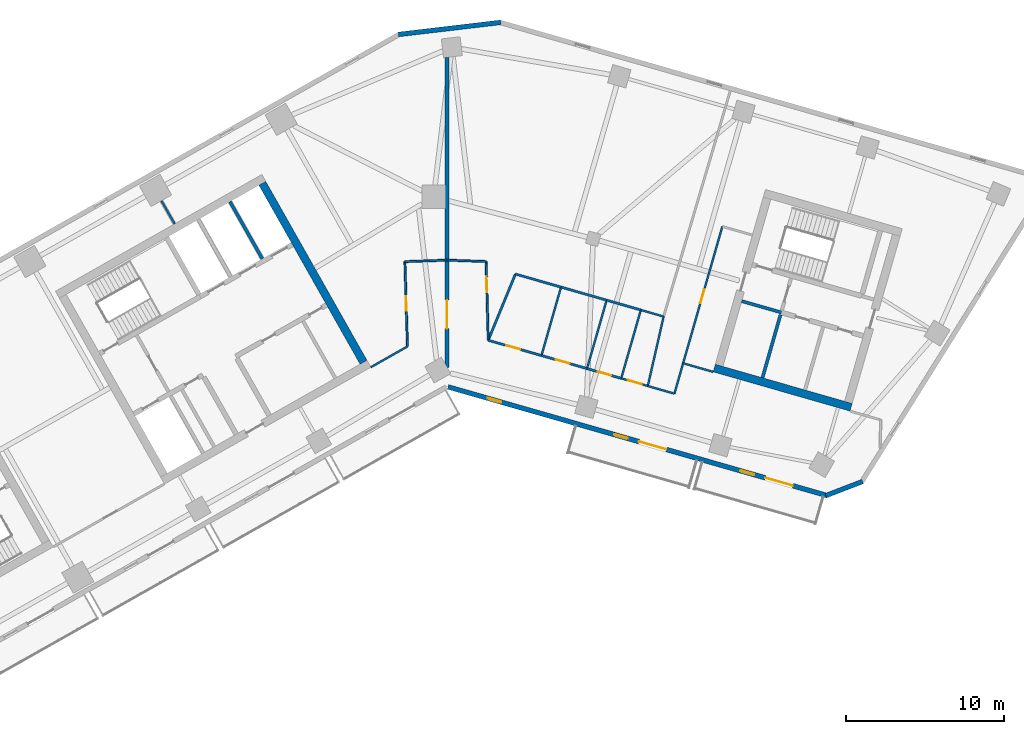
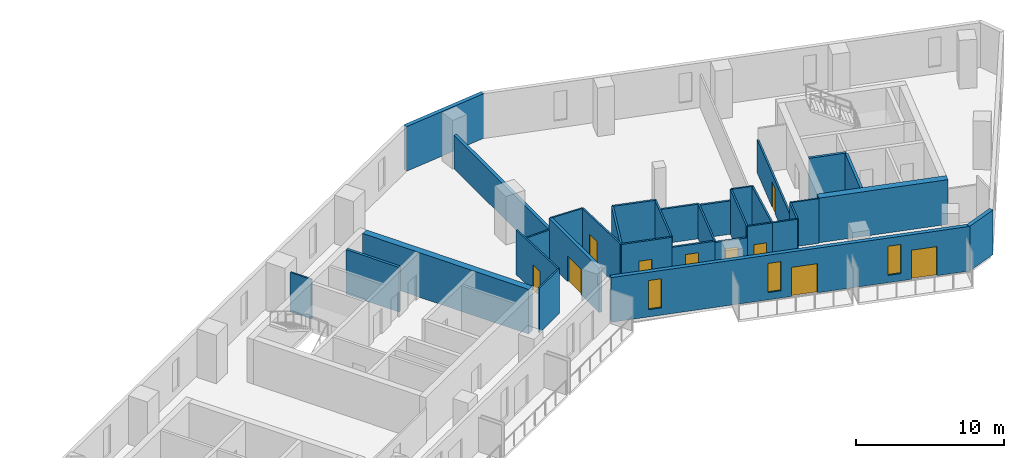
# One storey, part 5 of 9: 33 walls, 10 doors, 3 windows, 13 openings.
"""IFC4 building model written with IfcOpenShell, lengths in metres."""

from ifc_helpers import new_model, si_unit, direction, frame, frame_2d, origin, place, context, subcontext, project, spatial, rectangle, extrude, material, layer, layer_set, type_object, element, fill, save


model = new_model("IFC4")

# Units and contexts
model_context = context("Model", 3, precision=1e-05, world=origin(), true_north=direction((0.0, 1.0)))
body_context = subcontext(model_context, "Body", "Model", "MODEL_VIEW")
ifc_project = project(units=[si_unit("LENGTHUNIT", "METRE"), si_unit("AREAUNIT", "SQUARE_METRE"), si_unit("VOLUMEUNIT", "CUBIC_METRE"), si_unit("PLANEANGLEUNIT", "RADIAN"), si_unit("MASSUNIT", "GRAM", prefix="KILO")], contexts=[model_context])

# Site, building, storey
site_placement = place(None, origin())
site = spatial("IfcSite", under=ifc_project, at=site_placement, CompositionType="ELEMENT")
building_placement = place(site_placement, origin())
building = spatial("IfcBuilding", under=site, at=building_placement, Name="Binnacle Exchange Tower", CompositionType="ELEMENT")
storey_placement = place(building_placement, frame((0.0, 0.0, 174.89990234375)))
storey = spatial("IfcBuildingStorey", under=building, at=storey_placement, Name="L37", CompositionType="ELEMENT", Elevation=174.89990234375)

# Walls
ifc_material_1 = material(Name="Concrete C70/85", Category="concrete")
ifc_layer_1 = layer(ifc_material_1, 0.5)
ifc_layer_set_1 = layer_set([ifc_layer_1], Name="Core wall - outer 500")
wall_type_1 = type_object("IfcWallType", Name="Core wall - outer 500", PredefinedType="SOLIDWALL", material=ifc_layer_set_1)
wall_1_placement = place(storey_placement, frame((-11.686767578125, 60.856201171875, 0.0), z_axis=(0.0, 0.0, 1.0), x_axis=(0.492427267353, -0.870353598469, 0.0)))
element("IfcWall", 1, at=wall_1_placement, inside=storey, type_object=wall_type_1, Name="Core wall CRWC24", PredefinedType="SOLIDWALL", context=body_context, shape_type="SweptSolid", body=[
    extrude(rectangle(XDim=13.0, YDim=0.5, at=frame_2d((6.5, 0.0))), origin(), (0.0, 0.0, 1.0), 3.68017578125),
])
wall_2_placement = place(storey_placement, frame((16.896728515625, 49.173095703125, 0.0), z_axis=(0.0, 0.0, 1.0), x_axis=(0.96126248289, -0.275634611374, 0.0)))
element("IfcWall", 2, at=wall_2_placement, inside=storey, type_object=wall_type_1, Name="Core wall CRWD1", PredefinedType="SOLIDWALL", context=body_context, shape_type="SweptSolid", body=[
    extrude(rectangle(XDim=9.0, YDim=0.5, at=frame_2d((4.5, 0.0))), origin(), (0.0, 0.0, 1.0), 3.68017578125),
])

# Wall, openings, doors, windows
ifc_material_2 = material(Name="Bronze aluminium cladding", Category="aluminium")
ifc_layer_2 = layer(ifc_material_2, 0.300048828125)
ifc_layer_set_2 = layer_set([ifc_layer_2], Name="External wall - spandrel 300")
wall_type_2 = type_object("IfcWallType", Name="External wall - spandrel 300", PredefinedType="STANDARD", material=ifc_layer_set_2)
wall_3_placement = place(storey_placement, frame((24.04248046875, 41.10595703125, 0.0), z_axis=(0.0, 0.0, 1.0), x_axis=(-0.961261693976, 0.275637362661, 0.0)))
wall_3 = element("IfcWall", 3, at=wall_3_placement, inside=storey, type_object=wall_type_2, Name="External wall EW-G02 L37", PredefinedType="STANDARD", context=body_context, shape_type="SweptSolid", body=[
    extrude(rectangle(XDim=24.948486328125, YDim=0.300048828125, at=frame_2d((12.47412109375, 0.0))), origin(), (0.0, 0.0, 1.0), 3.68017578125),
])
opening_1_placement = place(wall_3_placement, frame((21.441162109375, 0.0, 0.60009765625)))
opening_1 = element("IfcOpeningElement", 4, at=opening_1_placement, cuts=wall_3, Name="Opening WS3", PredefinedType="OPENING", context=body_context, shape_type="SweptSolid", body=[
    extrude(rectangle(XDim=0.89990234375, YDim=2.39990234375, at=frame_2d((0.449951171875, 1.199951171875))), frame((0.0, 0.159912109375, 0.0), z_axis=(0.0, -1.0, 0.0), x_axis=(1.0, 0.0, 0.0)), (0.0, 0.0, 1.0), 0.320068359375),
])
opening_2_placement = place(wall_3_placement, frame((13.120849609375, 0.0, 0.60009765625)))
opening_2 = element("IfcOpeningElement", 5, at=opening_2_placement, cuts=wall_3, Name="Opening WS3", PredefinedType="OPENING", context=body_context, shape_type="SweptSolid", body=[
    extrude(rectangle(XDim=0.89990234375, YDim=2.39990234375, at=frame_2d((0.449951171875, 1.199951171875))), frame((0.0, 0.159912109375, 0.0), z_axis=(0.0, -1.0, 0.0), x_axis=(1.0, 0.0, 0.0)), (0.0, 0.0, 1.0), 0.320068359375),
])
opening_3_placement = place(wall_3_placement, frame((10.5908203125, 0.0, 0.0)))
opening_3 = element("IfcOpeningElement", 6, at=opening_3_placement, cuts=wall_3, Name="Opening D-FS11-06", PredefinedType="OPENING", context=body_context, shape_type="SweptSolid", body=[
    extrude(rectangle(XDim=1.800048828125, YDim=2.39990234375, at=frame_2d((0.89990234375, 1.199951171875))), frame((0.0, 0.159912109375, 0.0), z_axis=(0.0, -1.0, 0.0), x_axis=(1.0, 0.0, 0.0)), (0.0, 0.0, 1.0), 0.320068359375),
])
opening_4_placement = place(wall_3_placement, frame((4.80029296875, 0.0, 0.60009765625)))
opening_4 = element("IfcOpeningElement", 7, at=opening_4_placement, cuts=wall_3, Name="Opening WS3", PredefinedType="OPENING", context=body_context, shape_type="SweptSolid", body=[
    extrude(rectangle(XDim=0.89990234375, YDim=2.39990234375, at=frame_2d((0.449951171875, 1.199951171875))), frame((0.0, 0.159912109375, 0.0), z_axis=(0.0, -1.0, 0.0), x_axis=(1.0, 0.0, 0.0)), (0.0, 0.0, 1.0), 0.320068359375),
])
opening_5_placement = place(wall_3_placement, frame((2.270263671875, 0.0, 0.0)))
opening_5 = element("IfcOpeningElement", 8, at=opening_5_placement, cuts=wall_3, Name="Opening D-FS11-07", PredefinedType="OPENING", context=body_context, shape_type="SweptSolid", body=[
    extrude(rectangle(XDim=1.800048828125, YDim=2.39990234375, at=frame_2d((0.89990234375, 1.199951171875))), frame((0.0, 0.159912109375, 0.0), z_axis=(0.0, -1.0, 0.0), x_axis=(1.0, 0.0, 0.0)), (0.0, 0.0, 1.0), 0.320068359375),
])
ifc_material_3 = material(Name="Bronze anodised aluminium frame", Category="aluminium")
door_type_1 = type_object("IfcDoorType", Name="DB DOOR 1800x2400", OperationType="DOUBLE_DOOR_SINGLE_SWING", PredefinedType="DOOR", material=ifc_material_3)
door_1_placement = place(opening_3_placement, origin())
door_1 = element("IfcDoor", 9, at=door_1_placement, inside=storey, type_object=door_type_1, Name="Door D-FS11-06 L37", OperationType="DOUBLE_DOOR_SINGLE_SWING", OverallHeight=2.39990234375, OverallWidth=1.800048828125, PredefinedType="DOOR", context=body_context, shape_type="SweptSolid", body=[
    extrude(rectangle(XDim=1.800048828125, YDim=2.39990234375, at=frame_2d((0.89990234375, 1.199951171875))), frame((0.0, 0.02490234375, 0.0), z_axis=(0.0, -1.0, 0.0), x_axis=(1.0, 0.0, 0.0)), (0.0, 0.0, 1.0), 0.050048828125),
])
fill(opening_3, door_1)
door_2_placement = place(opening_5_placement, origin())
door_2 = element("IfcDoor", 10, at=door_2_placement, inside=storey, type_object=door_type_1, Name="Door D-FS11-07 L37", OperationType="DOUBLE_DOOR_SINGLE_SWING", OverallHeight=2.39990234375, OverallWidth=1.800048828125, PredefinedType="DOOR", context=body_context, shape_type="SweptSolid", body=[
    extrude(rectangle(XDim=1.800048828125, YDim=2.39990234375, at=frame_2d((0.89990234375, 1.199951171875))), frame((0.0, 0.02490234375, 0.0), z_axis=(0.0, -1.0, 0.0), x_axis=(1.0, 0.0, 0.0)), (0.0, 0.0, 1.0), 0.050048828125),
])
fill(opening_5, door_2)
window_type = type_object("IfcWindowType", Name="WS3 WINDOW 900x2400", PartitioningType="SINGLE_PANEL", PredefinedType="WINDOW", material=ifc_material_3)
window_1_placement = place(opening_1_placement, origin())
window_1 = element("IfcWindow", 11, at=window_1_placement, inside=storey, type_object=window_type, Name="Window WS3 L37", OverallHeight=2.39990234375, OverallWidth=0.89990234375, PartitioningType="SINGLE_PANEL", PredefinedType="WINDOW", context=body_context, shape_type="SweptSolid", body=[
    extrude(rectangle(XDim=0.89990234375, YDim=2.39990234375, at=frame_2d((0.449951171875, 1.199951171875))), frame((0.0, 0.030029296875, 0.0), z_axis=(0.0, -1.0, 0.0), x_axis=(1.0, 0.0, 0.0)), (0.0, 0.0, 1.0), 0.06005859375),
])
fill(opening_1, window_1)
window_2_placement = place(opening_2_placement, origin())
window_2 = element("IfcWindow", 12, at=window_2_placement, inside=storey, type_object=window_type, Name="Window WS3 L37", OverallHeight=2.39990234375, OverallWidth=0.89990234375, PartitioningType="SINGLE_PANEL", PredefinedType="WINDOW", context=body_context, shape_type="SweptSolid", body=[
    extrude(rectangle(XDim=0.89990234375, YDim=2.39990234375, at=frame_2d((0.449951171875, 1.199951171875))), frame((0.0, 0.030029296875, 0.0), z_axis=(0.0, -1.0, 0.0), x_axis=(1.0, 0.0, 0.0)), (0.0, 0.0, 1.0), 0.06005859375),
])
fill(opening_2, window_2)
window_3_placement = place(opening_4_placement, origin())
window_3 = element("IfcWindow", 13, at=window_3_placement, inside=storey, type_object=window_type, Name="Window WS3 L37", OverallHeight=2.39990234375, OverallWidth=0.89990234375, PartitioningType="SINGLE_PANEL", PredefinedType="WINDOW", context=body_context, shape_type="SweptSolid", body=[
    extrude(rectangle(XDim=0.89990234375, YDim=2.39990234375, at=frame_2d((0.449951171875, 1.199951171875))), frame((0.0, 0.030029296875, 0.0), z_axis=(0.0, -1.0, 0.0), x_axis=(1.0, 0.0, 0.0)), (0.0, 0.0, 1.0), 0.06005859375),
])
fill(opening_4, window_3)

# Walls
wall_4_placement = place(storey_placement, frame((26.27783203125, 41.996337890625, 0.0), z_axis=(0.0, 0.0, 1.0), x_axis=(-0.933592404159, -0.358336745112, 0.0)))
element("IfcWall", 14, at=wall_4_placement, inside=storey, type_object=wall_type_2, Name="External wall EW-G03 L37", PredefinedType="STANDARD", context=body_context, shape_type="SweptSolid", body=[
    extrude(rectangle(XDim=2.496337890625, YDim=0.300048828125, at=frame_2d((1.248046875, 0.0))), origin(), (0.0, 0.0, 1.0), 3.68017578125),
])
wall_5_placement = place(storey_placement, frame((-3.076171875, 70.27294921875, 0.0), z_axis=(0.0, 0.0, 1.0), x_axis=(0.993067743007, 0.117543429416, 0.0)))
element("IfcWall", 15, at=wall_5_placement, inside=storey, type_object=wall_type_2, Name="External wall EW-G07 L37", PredefinedType="STANDARD", context=body_context, shape_type="SweptSolid", body=[
    extrude(rectangle(XDim=6.515625, YDim=0.300048828125, at=frame_2d((3.2578125, 0.0))), origin(), (0.0, 0.0, 1.0), 3.68017578125),
])

# Wall, opening, door
ifc_material_4 = material(Name="Concrete fire wall C30/37", Category="concrete")
ifc_layer_3 = layer(ifc_material_4, 0.25)
ifc_layer_set_3 = layer_set([ifc_layer_3], Name="Fire wall - compartment 250")
wall_type_3 = type_object("IfcWallType", Name="Fire wall - compartment 250", PredefinedType="PARTITIONING", material=ifc_layer_set_3)
wall_6_placement = place(storey_placement, frame((0.0, 49.218994140625, 0.0), z_axis=(0.0, 0.0, 1.0), x_axis=(0.0, 1.0, 0.0)))
wall_6 = element("IfcWall", 16, at=wall_6_placement, inside=storey, type_object=wall_type_3, Name="Fire Wall W09", PredefinedType="PARTITIONING", context=body_context, shape_type="SweptSolid", body=[
    extrude(rectangle(XDim=6.781005859375, YDim=0.25, at=frame_2d((3.390625, 0.0))), origin(), (0.0, 0.0, 1.0), 3.68017578125),
])
opening_6_placement = place(wall_6_placement, frame((2.449951171875, 0.0, 0.0)))
opening_6 = element("IfcOpeningElement", 17, at=opening_6_placement, cuts=wall_6, Name="Opening DL35-10", PredefinedType="OPENING", context=body_context, shape_type="SweptSolid", body=[
    extrude(rectangle(XDim=1.800048828125, YDim=2.10009765625, at=frame_2d((0.89990234375, 1.050048828125))), frame((0.0, 0.135009765625, 0.0), z_axis=(0.0, -1.0, 0.0), x_axis=(1.0, 0.0, 0.0)), (0.0, 0.0, 1.0), 0.27001953125),
])
ifc_material_5 = material(Name="Steel door leaf", Category="steel")
door_type_2 = type_object("IfcDoorType", Name="Fire door 1800", OperationType="NOTDEFINED", PredefinedType="DOOR", material=ifc_material_5)
door_3_placement = place(opening_6_placement, origin())
door_3 = element("IfcDoor", 18, at=door_3_placement, inside=storey, type_object=door_type_2, Name="Door DL35-10", OperationType="DOUBLE_DOOR_SINGLE_SWING", OverallHeight=2.10009765625, OverallWidth=1.800048828125, PredefinedType="DOOR", context=body_context, shape_type="SweptSolid", body=[
    extrude(rectangle(XDim=1.800048828125, YDim=2.10009765625, at=frame_2d((0.89990234375, 1.050048828125))), frame((0.0, 0.02490234375, 0.0), z_axis=(0.0, -1.0, 0.0), x_axis=(1.0, 0.0, 0.0)), (0.0, 0.0, 1.0), 0.050048828125),
])
fill(opening_6, door_3)

# Walls
wall_7_placement = place(storey_placement, frame((0.0, 56.0, 0.0), z_axis=(0.0, 0.0, 1.0), x_axis=(0.0, 1.0, 0.0)))
element("IfcWall", 19, at=wall_7_placement, inside=storey, type_object=wall_type_3, Name="Fire Wall W10", PredefinedType="PARTITIONING", context=body_context, shape_type="SweptSolid", body=[
    extrude(rectangle(XDim=12.823974609375, YDim=0.25, at=frame_2d((6.412109375, 0.0))), origin(), (0.0, 0.0, 1.0), 2.748046875),
])
ifc_material_6 = material(Name="Gypsum partition fire rated")
ifc_layer_4 = layer(ifc_material_6, 0.14990234375)
ifc_layer_set_4 = layer_set([ifc_layer_4], Name="Fire-rated partition 150")
wall_type_4 = type_object("IfcWallType", Name="Fire-rated partition 150", PredefinedType="PARTITIONING", material=ifc_layer_set_4)
wall_8_placement = place(storey_placement, frame((2.60107421875, 50.931884765625, 0.0), z_axis=(0.0, 0.0, 1.0), x_axis=(0.380066317543, 0.924959239247, 0.0)))
element("IfcWall", 20, at=wall_8_placement, inside=storey, type_object=wall_type_4, Name="Partition W13", PredefinedType="PARTITIONING", context=body_context, shape_type="SweptSolid", body=[
    extrude(rectangle(XDim=4.528076171875, YDim=0.14990234375, at=frame_2d((2.26416015625, 0.0))), origin(), (0.0, 0.0, 1.0), 3.68017578125),
])

# Wall, opening, door
wall_9_placement = place(storey_placement, frame((2.60107421875, 50.931884765625, 0.0), z_axis=(0.0, 0.0, 1.0), x_axis=(0.961265606965, -0.27562371608, 0.0)))
wall_9 = element("IfcWall", 21, at=wall_9_placement, inside=storey, type_object=wall_type_4, Name="Partition W14", PredefinedType="PARTITIONING", context=body_context, shape_type="SweptSolid", body=[
    extrude(rectangle(XDim=3.50048828125, YDim=0.14990234375, at=frame_2d((1.750244140625, 0.0))), origin(), (0.0, 0.0, 1.0), 3.68017578125),
])
opening_7_placement = place(wall_9_placement, frame((1.199951171875, 0.0, 0.0)))
opening_7 = element("IfcOpeningElement", 22, at=opening_7_placement, cuts=wall_9, Name="Opening DL35-04", PredefinedType="OPENING", context=body_context, shape_type="SweptSolid", body=[
    extrude(rectangle(XDim=0.89990234375, YDim=2.10009765625, at=frame_2d((0.449951171875, 1.050048828125))), frame((0.0, 0.0849609375, 0.0), z_axis=(0.0, -1.0, 0.0), x_axis=(1.0, 0.0, 0.0)), (0.0, 0.0, 1.0), 0.169921875),
])
door_type_3 = type_object("IfcDoorType", Name="Fire door 900", OperationType="NOTDEFINED", PredefinedType="DOOR", material=ifc_material_5)
door_4_placement = place(opening_7_placement, origin())
door_4 = element("IfcDoor", 23, at=door_4_placement, inside=storey, type_object=door_type_3, Name="Door DL35-04", OperationType="SINGLE_SWING_LEFT", OverallHeight=2.10009765625, OverallWidth=0.89990234375, PredefinedType="DOOR", context=body_context, shape_type="SweptSolid", body=[
    extrude(rectangle(XDim=0.89990234375, YDim=2.10009765625, at=frame_2d((0.449951171875, 1.050048828125))), frame((0.0, 0.02490234375, 0.0), z_axis=(0.0, -1.0, 0.0), x_axis=(1.0, 0.0, 0.0)), (0.0, 0.0, 1.0), 0.050048828125),
])
fill(opening_7, door_4)

# Wall
wall_10_placement = place(storey_placement, frame((4.322021484375, 55.1201171875, 0.0), z_axis=(0.0, 0.0, 1.0), x_axis=(0.961247103494, -0.275688240636, 0.0)))
element("IfcWall", 24, at=wall_10_placement, inside=storey, type_object=wall_type_4, Name="Partition W15", PredefinedType="PARTITIONING", context=body_context, shape_type="SweptSolid", body=[
    extrude(rectangle(XDim=3.000244140625, YDim=0.14990234375, at=frame_2d((1.5, 0.0))), origin(), (0.0, 0.0, 1.0), 3.68017578125),
])

# Wall, opening, door
wall_11_placement = place(storey_placement, frame((5.966064453125, 49.967041015625, 0.0), z_axis=(0.0, 0.0, 1.0), x_axis=(0.961222353496, -0.275774522283, 0.0)))
wall_11 = element("IfcWall", 25, at=wall_11_placement, inside=storey, type_object=wall_type_4, Name="Partition W17", PredefinedType="PARTITIONING", context=body_context, shape_type="SweptSolid", body=[
    extrude(rectangle(XDim=2.999267578125, YDim=0.14990234375, at=frame_2d((1.49951171875, 0.0))), origin(), (0.0, 0.0, 1.0), 2.85205078125),
])
opening_8_placement = place(wall_11_placement, frame((0.949951171875, 0.0, 0.0)))
opening_8 = element("IfcOpeningElement", 26, at=opening_8_placement, cuts=wall_11, Name="Opening DL35-05", PredefinedType="OPENING", context=body_context, shape_type="SweptSolid", body=[
    extrude(rectangle(XDim=0.89990234375, YDim=2.10009765625, at=frame_2d((0.449951171875, 1.050048828125))), frame((0.0, 0.0849609375, 0.0), z_axis=(0.0, -1.0, 0.0), x_axis=(1.0, 0.0, 0.0)), (0.0, 0.0, 1.0), 0.169921875),
])
door_5_placement = place(opening_8_placement, origin())
door_5 = element("IfcDoor", 27, at=door_5_placement, inside=storey, type_object=door_type_3, Name="Door DL35-05", OperationType="SINGLE_SWING_LEFT", OverallHeight=2.10009765625, OverallWidth=0.89990234375, PredefinedType="DOOR", context=body_context, shape_type="SweptSolid", body=[
    extrude(rectangle(XDim=0.89990234375, YDim=2.10009765625, at=frame_2d((0.449951171875, 1.050048828125))), frame((0.0, 0.02490234375, 0.0), z_axis=(0.0, -1.0, 0.0), x_axis=(1.0, 0.0, 0.0)), (0.0, 0.0, 1.0), 0.050048828125),
])
fill(opening_8, door_5)

# Wall
wall_12_placement = place(storey_placement, frame((7.2060546875, 54.29296875, 0.0), z_axis=(0.0, 0.0, 1.0), x_axis=(0.961268664977, -0.27561305073, 0.0)))
element("IfcWall", 28, at=wall_12_placement, inside=storey, type_object=wall_type_4, Name="Partition W18", PredefinedType="PARTITIONING", context=body_context, shape_type="SweptSolid", body=[
    extrude(rectangle(XDim=3.000244140625, YDim=0.14990234375, at=frame_2d((1.5, 0.0))), origin(), (0.0, 0.0, 1.0), 2.85205078125),
])

# Wall, opening, door
wall_13_placement = place(storey_placement, frame((8.84912109375, 49.139892578125, 0.0), z_axis=(0.0, 0.0, 1.0), x_axis=(0.961298413165, -0.275509275429, 0.0)))
wall_13 = element("IfcWall", 29, at=wall_13_placement, inside=storey, type_object=wall_type_4, Name="Partition W20", PredefinedType="PARTITIONING", context=body_context, shape_type="SweptSolid", body=[
    extrude(rectangle(XDim=2.25, YDim=0.14990234375, at=frame_2d((1.125, 0.0))), origin(), (0.0, 0.0, 1.0), 2.748046875),
])
opening_9_placement = place(wall_13_placement, frame((0.699951171875, 0.0, 0.0)))
opening_9 = element("IfcOpeningElement", 30, at=opening_9_placement, cuts=wall_13, Name="Opening DL35-06", PredefinedType="OPENING", context=body_context, shape_type="SweptSolid", body=[
    extrude(rectangle(XDim=0.89990234375, YDim=2.10009765625, at=frame_2d((0.449951171875, 1.050048828125))), frame((0.0, 0.0849609375, 0.0), z_axis=(0.0, -1.0, 0.0), x_axis=(1.0, 0.0, 0.0)), (0.0, 0.0, 1.0), 0.169921875),
])
door_6_placement = place(opening_9_placement, origin())
door_6 = element("IfcDoor", 31, at=door_6_placement, inside=storey, type_object=door_type_3, Name="Door DL35-06", OperationType="SINGLE_SWING_RIGHT", OverallHeight=2.10009765625, OverallWidth=0.89990234375, PredefinedType="DOOR", context=body_context, shape_type="SweptSolid", body=[
    extrude(rectangle(XDim=0.89990234375, YDim=2.10009765625, at=frame_2d((0.449951171875, 1.050048828125))), frame((0.0, 0.02490234375, 0.0), z_axis=(0.0, -1.0, 0.0), x_axis=(1.0, 0.0, 0.0)), (0.0, 0.0, 1.0), 0.050048828125),
])
fill(opening_9, door_6)

# Walls
wall_14_placement = place(storey_placement, frame((10.090087890625, 53.466064453125, 0.0), z_axis=(0.0, 0.0, 1.0), x_axis=(0.961269670038, -0.275609545309, 0.0)))
element("IfcWall", 32, at=wall_14_placement, inside=storey, type_object=wall_type_4, Name="Partition W21", PredefinedType="PARTITIONING", context=body_context, shape_type="SweptSolid", body=[
    extrude(rectangle(XDim=2.25, YDim=0.14990234375, at=frame_2d((1.125, 0.0))), origin(), (0.0, 0.0, 1.0), 2.748046875),
])
ifc_material_7 = material(Name="Gypsum partition")
ifc_layer_5 = layer(ifc_material_7, 0.125)
ifc_layer_set_5 = layer_set([ifc_layer_5], Name="Partition 125")
wall_type_5 = type_object("IfcWallType", Name="Partition 125", PredefinedType="PARTITIONING", material=ifc_layer_set_5)
wall_15_placement = place(storey_placement, frame((-18.068115234375, 59.756103515625, 0.0), z_axis=(0.0, 0.0, 1.0), x_axis=(0.495061971856, -0.868857666147, 0.0)))
element("IfcWall", 33, at=wall_15_placement, inside=storey, type_object=wall_type_5, Name="Partition W05", PredefinedType="PARTITIONING", context=body_context, shape_type="SweptSolid", body=[
    extrude(rectangle(XDim=1.68505859375, YDim=0.125, at=frame_2d((0.842529296875, 0.0))), origin(), (0.0, 0.0, 1.0), 3.260009765625),
])
wall_16_placement = place(storey_placement, frame((-4.821044921875, 49.22998046875, 0.0), z_axis=(0.0, 0.0, 1.0), x_axis=(0.870371217631, 0.492396124598, 0.0)))
element("IfcWall", 34, at=wall_16_placement, inside=storey, type_object=wall_type_5, Name="Partition W06", PredefinedType="PARTITIONING", context=body_context, shape_type="SweptSolid", body=[
    extrude(rectangle(XDim=2.65869140625, YDim=0.125, at=frame_2d((1.329345703125, 0.0))), origin(), (0.0, 0.0, 1.0), 3.68017578125),
])

# Wall, opening, door
wall_17_placement = place(storey_placement, frame((-2.669921875, 55.904052734375, 0.0), z_axis=(0.0, 0.0, 1.0), x_axis=(0.030338701418, -0.999539675649, 0.0)))
wall_17 = element("IfcWall", 35, at=wall_17_placement, inside=storey, type_object=wall_type_5, Name="Partition W07", PredefinedType="PARTITIONING", context=body_context, shape_type="SweptSolid", body=[
    extrude(rectangle(XDim=5.367431640625, YDim=0.125, at=frame_2d((2.68359375, 0.0))), origin(), (0.0, 0.0, 1.0), 3.68017578125),
])
opening_10_placement = place(wall_17_placement, frame((2.199951171875, 0.0, 0.0)))
opening_10 = element("IfcOpeningElement", 36, at=opening_10_placement, cuts=wall_17, Name="Opening DL35-03", PredefinedType="OPENING", context=body_context, shape_type="SweptSolid", body=[
    extrude(rectangle(XDim=0.89990234375, YDim=2.10009765625, at=frame_2d((0.449951171875, 1.050048828125))), frame((0.0, 0.072509765625, 0.0), z_axis=(0.0, -1.0, 0.0), x_axis=(1.0, 0.0, 0.0)), (0.0, 0.0, 1.0), 0.14501953125),
])
ifc_material_8 = material(Name="Timber door leaf", Category="wood")
door_type_4 = type_object("IfcDoorType", Name="Door 900", OperationType="NOTDEFINED", PredefinedType="DOOR", material=ifc_material_8)
door_7_placement = place(opening_10_placement, frame((0.89990234375, 0.0, 0.0), z_axis=(0.0, 0.0, 1.0), x_axis=(-1.0, 0.0, 0.0)))
door_7 = element("IfcDoor", 37, at=door_7_placement, inside=storey, type_object=door_type_4, Name="Door DL35-03", OperationType="SINGLE_SWING_RIGHT", OverallHeight=2.10009765625, OverallWidth=0.89990234375, PredefinedType="DOOR", context=body_context, shape_type="SweptSolid", body=[
    extrude(rectangle(XDim=0.89990234375, YDim=2.10009765625, at=frame_2d((0.449951171875, 1.050048828125))), frame((0.0, 0.02490234375, 0.0), z_axis=(0.0, -1.0, 0.0), x_axis=(1.0, 0.0, 0.0)), (0.0, 0.0, 1.0), 0.050048828125),
])
fill(opening_10, door_7)

# Walls
wall_18_placement = place(storey_placement, frame((-2.669921875, 55.904052734375, 0.0), z_axis=(0.0, 0.0, 1.0), x_axis=(0.999354913865, 0.03591317494, 0.0)))
element("IfcWall", 38, at=wall_18_placement, inside=storey, type_object=wall_type_5, Name="Partition W08", PredefinedType="PARTITIONING", context=body_context, shape_type="SweptSolid", body=[
    extrude(rectangle(XDim=2.671630859375, YDim=0.125, at=frame_2d((1.3359375, 0.0))), origin(), (0.0, 0.0, 1.0), 2.748046875),
])
wall_19_placement = place(storey_placement, frame((0.0, 56.0, 0.0), z_axis=(0.0, 0.0, 1.0), x_axis=(0.999349313684, -0.036068673934, 0.0)))
element("IfcWall", 39, at=wall_19_placement, inside=storey, type_object=wall_type_5, Name="Partition W11", PredefinedType="PARTITIONING", context=body_context, shape_type="SweptSolid", body=[
    extrude(rectangle(XDim=2.470703125, YDim=0.125, at=frame_2d((1.2353515625, 0.0))), origin(), (0.0, 0.0, 1.0), 3.68017578125),
])

# Wall, opening, door
wall_20_placement = place(storey_placement, frame((2.468994140625, 55.910888671875, 0.0), z_axis=(0.0, 0.0, 1.0), x_axis=(0.02651808123, -0.999648333849, 0.0)))
wall_20 = element("IfcWall", 40, at=wall_20_placement, inside=storey, type_object=wall_type_5, Name="Partition W12", PredefinedType="PARTITIONING", context=body_context, shape_type="SweptSolid", body=[
    extrude(rectangle(XDim=4.980712890625, YDim=0.125, at=frame_2d((2.490234375, 0.0))), origin(), (0.0, 0.0, 1.0), 3.68017578125),
])
opening_11_placement = place(wall_20_placement, frame((0.949951171875, 0.0, 0.0)))
opening_11 = element("IfcOpeningElement", 41, at=opening_11_placement, cuts=wall_20, Name="Opening DL35-08", PredefinedType="OPENING", context=body_context, shape_type="SweptSolid", body=[
    extrude(rectangle(XDim=1.0, YDim=2.10009765625, at=frame_2d((0.5, 1.050048828125))), frame((0.0, 0.072509765625, 0.0), z_axis=(0.0, -1.0, 0.0), x_axis=(1.0, 0.0, 0.0)), (0.0, 0.0, 1.0), 0.14501953125),
])
door_type_5 = type_object("IfcDoorType", Name="Door 1000", OperationType="NOTDEFINED", PredefinedType="DOOR", material=ifc_material_8)
door_8_placement = place(opening_11_placement, origin())
door_8 = element("IfcDoor", 42, at=door_8_placement, inside=storey, type_object=door_type_5, Name="Door DL35-08", OperationType="SINGLE_SWING_LEFT", OverallHeight=2.10009765625, OverallWidth=1.0, PredefinedType="DOOR", context=body_context, shape_type="SweptSolid", body=[
    extrude(rectangle(XDim=1.0, YDim=2.10009765625, at=frame_2d((0.5, 1.050048828125))), frame((0.0, 0.02490234375, 0.0), z_axis=(0.0, -1.0, 0.0), x_axis=(1.0, 0.0, 0.0)), (0.0, 0.0, 1.0), 0.050048828125),
])
fill(opening_11, door_8)

# Walls
wall_21_placement = place(storey_placement, frame((5.966064453125, 49.967041015625, 0.0), z_axis=(0.0, 0.0, 1.0), x_axis=(0.275545040649, 0.96128816209, 0.0)))
element("IfcWall", 43, at=wall_21_placement, inside=storey, type_object=wall_type_5, Name="Partition W16", PredefinedType="PARTITIONING", context=body_context, shape_type="SweptSolid", body=[
    extrude(rectangle(XDim=4.500244140625, YDim=0.125, at=frame_2d((2.25, 0.0))), origin(), (0.0, 0.0, 1.0), 3.68017578125),
])
wall_22_placement = place(storey_placement, frame((8.84912109375, 49.139892578125, 0.0), z_axis=(0.0, 0.0, 1.0), x_axis=(0.275731175537, 0.961234788612, 0.0)))
element("IfcWall", 44, at=wall_22_placement, inside=storey, type_object=wall_type_5, Name="Partition W19", PredefinedType="PARTITIONING", context=body_context, shape_type="SweptSolid", body=[
    extrude(rectangle(XDim=4.500732421875, YDim=0.125, at=frame_2d((2.25048828125, 0.0))), origin(), (0.0, 0.0, 1.0), 2.85205078125),
])
wall_23_placement = place(storey_placement, frame((11.011962890625, 48.52001953125, 0.0), z_axis=(0.0, 0.0, 1.0), x_axis=(0.275745553681, 0.96123066411, 0.0)))
element("IfcWall", 45, at=wall_23_placement, inside=storey, type_object=wall_type_5, Name="Partition W22", PredefinedType="PARTITIONING", context=body_context, shape_type="SweptSolid", body=[
    extrude(rectangle(XDim=4.50048828125, YDim=0.125, at=frame_2d((2.250244140625, 0.0))), origin(), (0.0, 0.0, 1.0), 3.68017578125),
])

# Wall, opening, door
wall_24_placement = place(storey_placement, frame((11.011962890625, 48.52001953125, 0.0), z_axis=(0.0, 0.0, 1.0), x_axis=(0.961323619822, -0.275421309946, 0.0)))
wall_24 = element("IfcWall", 46, at=wall_24_placement, inside=storey, type_object=wall_type_5, Name="Partition W23", PredefinedType="PARTITIONING", context=body_context, shape_type="SweptSolid", body=[
    extrude(rectangle(XDim=1.749755859375, YDim=0.125, at=frame_2d((0.875, 0.0))), origin(), (0.0, 0.0, 1.0), 3.68017578125),
])
opening_12_placement = place(wall_24_placement, frame((0.449951171875, 0.0, 0.0)))
opening_12 = element("IfcOpeningElement", 47, at=opening_12_placement, cuts=wall_24, Name="Opening DL35-07", PredefinedType="OPENING", context=body_context, shape_type="SweptSolid", body=[
    extrude(rectangle(XDim=0.89990234375, YDim=2.10009765625, at=frame_2d((0.449951171875, 1.050048828125))), frame((0.0, 0.072509765625, 0.0), z_axis=(0.0, -1.0, 0.0), x_axis=(1.0, 0.0, 0.0)), (0.0, 0.0, 1.0), 0.14501953125),
])
door_9_placement = place(opening_12_placement, origin())
door_9 = element("IfcDoor", 48, at=door_9_placement, inside=storey, type_object=door_type_4, Name="Door DL35-07", OperationType="SINGLE_SWING_RIGHT", OverallHeight=2.10009765625, OverallWidth=0.89990234375, PredefinedType="DOOR", context=body_context, shape_type="SweptSolid", body=[
    extrude(rectangle(XDim=0.89990234375, YDim=2.10009765625, at=frame_2d((0.449951171875, 1.050048828125))), frame((0.0, 0.02490234375, 0.0), z_axis=(0.0, -1.0, 0.0), x_axis=(1.0, 0.0, 0.0)), (0.0, 0.0, 1.0), 0.050048828125),
])
fill(opening_12, door_9)

# Walls
wall_25_placement = place(storey_placement, frame((12.2529296875, 52.845947265625, 0.0), z_axis=(0.0, 0.0, 1.0), x_axis=(0.961117390016, -0.276140114089, 0.0)))
element("IfcWall", 49, at=wall_25_placement, inside=storey, type_object=wall_type_5, Name="Partition W24", PredefinedType="PARTITIONING", context=body_context, shape_type="SweptSolid", body=[
    extrude(rectangle(XDim=1.49951171875, YDim=0.125, at=frame_2d((0.749755859375, 0.0))), origin(), (0.0, 0.0, 1.0), 3.68017578125),
])
wall_26_placement = place(storey_placement, frame((12.694091796875, 48.0380859375, 0.0), z_axis=(0.0, 0.0, 1.0), x_axis=(0.221918494106, 0.975065219344, 0.0)))
element("IfcWall", 50, at=wall_26_placement, inside=storey, type_object=wall_type_5, Name="Partition W25", PredefinedType="PARTITIONING", context=body_context, shape_type="SweptSolid", body=[
    extrude(rectangle(XDim=4.506103515625, YDim=0.125, at=frame_2d((2.2529296875, 0.0))), origin(), (0.0, 0.0, 1.0), 3.68017578125),
])
wall_27_placement = place(storey_placement, frame((12.694091796875, 48.0380859375, 0.0), z_axis=(0.0, 0.0, 1.0), x_axis=(0.961170605556, -0.275954827854, 0.0)))
element("IfcWall", 51, at=wall_27_placement, inside=storey, type_object=wall_type_5, Name="Partition W26", PredefinedType="PARTITIONING", context=body_context, shape_type="SweptSolid", body=[
    extrude(rectangle(XDim=1.750732421875, YDim=0.125, at=frame_2d((0.87548828125, 0.0))), origin(), (0.0, 0.0, 1.0), 3.68017578125),
])
wall_28_placement = place(storey_placement, frame((14.376953125, 47.554931640625, 0.0), z_axis=(0.0, 0.0, 1.0), x_axis=(0.275446387355, 0.961316434736, 0.0)))
element("IfcWall", 52, at=wall_28_placement, inside=storey, type_object=wall_type_5, Name="Partition W28", PredefinedType="PARTITIONING", context=body_context, shape_type="SweptSolid", body=[
    extrude(rectangle(XDim=2.00048828125, YDim=0.125, at=frame_2d((1.000244140625, 0.0))), origin(), (0.0, 0.0, 1.0), 3.68017578125),
])
wall_29_placement = place(storey_placement, frame((14.927978515625, 49.47802734375, 0.0), z_axis=(0.0, 0.0, 1.0), x_axis=(0.961243778232, -0.27569983462, 0.0)))
element("IfcWall", 53, at=wall_29_placement, inside=storey, type_object=wall_type_5, Name="Partition W29", PredefinedType="PARTITIONING", context=body_context, shape_type="SweptSolid", body=[
    extrude(rectangle(XDim=1.9765625, YDim=0.125, at=frame_2d((0.98828125, 0.0))), origin(), (0.0, 0.0, 1.0), 3.68017578125),
])

# Wall, opening, door
wall_30_placement = place(storey_placement, frame((14.927978515625, 49.47802734375, 0.0), z_axis=(0.0, 0.0, 1.0), x_axis=(0.275674053528, 0.961251172281, 0.0)))
wall_30 = element("IfcWall", 54, at=wall_30_placement, inside=storey, type_object=wall_type_5, Name="Partition W30", PredefinedType="PARTITIONING", context=body_context, shape_type="SweptSolid", body=[
    extrude(rectangle(XDim=8.99951171875, YDim=0.125, at=frame_2d((4.499755859375, 0.0))), origin(), (0.0, 0.0, 1.0), 2.748046875),
])
opening_13_placement = place(wall_30_placement, frame((3.949951171875, 0.0, 0.0)))
opening_13 = element("IfcOpeningElement", 55, at=opening_13_placement, cuts=wall_30, Name="Opening DL35-09", PredefinedType="OPENING", context=body_context, shape_type="SweptSolid", body=[
    extrude(rectangle(XDim=0.89990234375, YDim=2.10009765625, at=frame_2d((0.449951171875, 1.050048828125))), frame((0.0, 0.072509765625, 0.0), z_axis=(0.0, -1.0, 0.0), x_axis=(1.0, 0.0, 0.0)), (0.0, 0.0, 1.0), 0.14501953125),
])
door_10_placement = place(opening_13_placement, origin())
door_10 = element("IfcDoor", 56, at=door_10_placement, inside=storey, type_object=door_type_4, Name="Door DL35-09", OperationType="SINGLE_SWING_LEFT", OverallHeight=2.10009765625, OverallWidth=0.89990234375, PredefinedType="DOOR", context=body_context, shape_type="SweptSolid", body=[
    extrude(rectangle(XDim=0.89990234375, YDim=2.10009765625, at=frame_2d((0.449951171875, 1.050048828125))), frame((0.0, 0.02490234375, 0.0), z_axis=(0.0, -1.0, 0.0), x_axis=(1.0, 0.0, 0.0)), (0.0, 0.0, 1.0), 0.050048828125),
])
fill(opening_13, door_10)

# Walls
ifc_material_9 = material(Name="Masonry block wall", Category="masonry")
ifc_layer_6 = layer(ifc_material_9, 0.199951171875)
ifc_layer_set_6 = layer_set([ifc_layer_6], Name="Riser wall 200")
wall_type_6 = type_object("IfcWallType", Name="Riser wall 200", PredefinedType="SOLIDWALL", material=ifc_layer_set_6)
wall_31_placement = place(storey_placement, frame((18.631591796875, 53.4091796875, 0.0), z_axis=(0.0, 0.0, 1.0), x_axis=(0.961247078216, -0.275688328772, 0.0)))
element("IfcWall", 57, at=wall_31_placement, inside=storey, type_object=wall_type_6, Name="Core wall CRWD2", PredefinedType="SOLIDWALL", context=body_context, shape_type="SweptSolid", body=[
    extrude(rectangle(XDim=2.60009765625, YDim=0.199951171875, at=frame_2d((1.300048828125, 0.0))), origin(), (0.0, 0.0, 1.0), 3.68017578125),
])
wall_32_placement = place(storey_placement, frame((19.945556640625, 48.55908203125, 0.0), z_axis=(0.0, 0.0, 1.0), x_axis=(0.275668905258, 0.961252648721, 0.0)))
element("IfcWall", 58, at=wall_32_placement, inside=storey, type_object=wall_type_6, Name="Core wall CRWD8", PredefinedType="SOLIDWALL", context=body_context, shape_type="SweptSolid", body=[
    extrude(rectangle(XDim=4.150146484375, YDim=0.199951171875, at=frame_2d((2.0751953125, 0.0))), origin(), (0.0, 0.0, 1.0), 3.68017578125),
])
ifc_layer_7 = layer(ifc_material_9, 0.199951171875)
ifc_layer_set_7 = layer_set([ifc_layer_7], Name="Shaft wall 200")
wall_type_7 = type_object("IfcWallType", Name="Shaft wall 200", PredefinedType="SOLIDWALL", material=ifc_layer_set_7)
wall_33_placement = place(storey_placement, frame((-13.73193359375, 59.698974609375, 0.0), z_axis=(0.0, 0.0, 1.0), x_axis=(0.492396453737, -0.870371031427, 0.0)))
element("IfcWall", 59, at=wall_33_placement, inside=storey, type_object=wall_type_7, Name="Core wall CRWC21", PredefinedType="SOLIDWALL", context=body_context, shape_type="SweptSolid", body=[
    extrude(rectangle(XDim=4.14990234375, YDim=0.199951171875, at=frame_2d((2.074951171875, 0.0))), origin(), (0.0, 0.0, 1.0), 3.68017578125),
])

save(model, "model.ifc")
